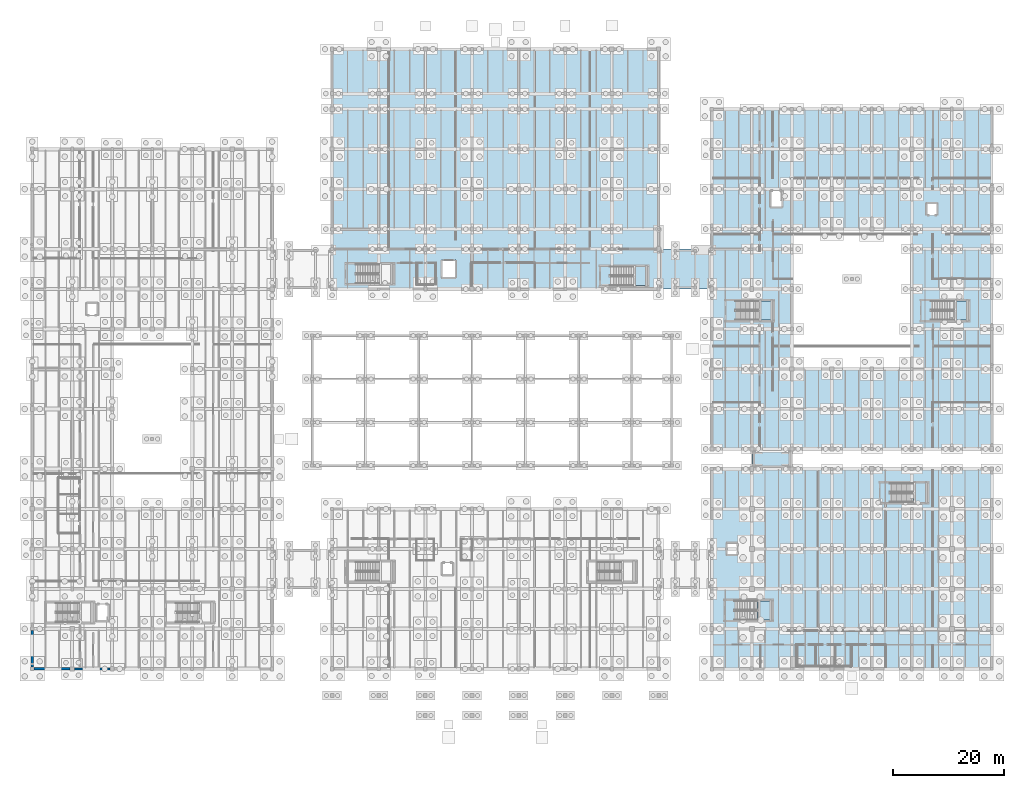
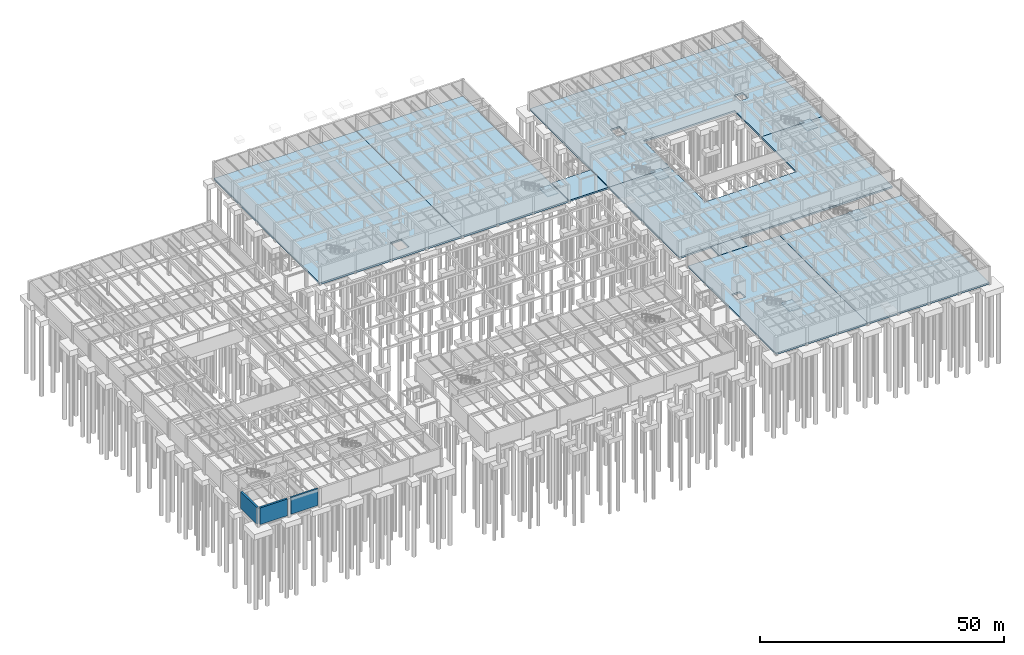
# One storey, part 39 of 63: 13 slabs, 3 walls, 5 elements without a shape of their own.
"""IFC4 building model written with IfcOpenShell, lengths in metres."""

from ifc_helpers import new_model, si_unit, direction, frame, frame_2d, origin, place, context, subcontext, project, spatial, polyline, rectangle, outline, extrude, material, layer, layer_set, type_object, element, aggregate, save


model = new_model("IFC4")

# Units and contexts
model_context = context("Model", 3, precision=1e-05, world=origin(), true_north=direction((0.0, 1.0)))
body_context = subcontext(model_context, "Body", "Model", "MODEL_VIEW")
ifc_project = project(units=[si_unit("LENGTHUNIT", "METRE"), si_unit("AREAUNIT", "SQUARE_METRE"), si_unit("VOLUMEUNIT", "CUBIC_METRE"), si_unit("PLANEANGLEUNIT", "RADIAN"), si_unit("MASSUNIT", "GRAM", prefix="KILO")], contexts=[model_context])

# Site, building, storey
site_placement = place(None, origin())
site = spatial("IfcSite", under=ifc_project, at=site_placement, CompositionType="ELEMENT")
building_placement = place(site_placement, origin())
building = spatial("IfcBuilding", under=site, at=building_placement, Name="Mazaris Harbour Polytechnic", CompositionType="ELEMENT")
storey_placement = place(building_placement, frame((0.0, 0.0, -4.5)))
storey = spatial("IfcBuildingStorey", under=building, at=storey_placement, Name="B1", CompositionType="ELEMENT", Elevation=-4.5)

# Slabs
ifc_material_1 = material(Name="Concrete C35/45", Category="concrete")
ifc_layer_1 = layer(ifc_material_1, 0.3798828125, Name="Concrete C35/45")
ifc_layer_set_1 = layer_set([ifc_layer_1], Name="Concrete C35/45")
slab_type_1 = type_object("IfcSlabType", Name="Basement Link Slab 380", PredefinedType="BASESLAB", material=ifc_layer_set_1)
slab_1_placement = place(storey_placement, frame((0.0, 0.0, -0.3798828125)))
element("IfcSlab", 1, at=slab_1_placement, inside=storey, type_object=slab_type_1, Name="PB-E2 B1 Bridge Deck", PredefinedType="BASESLAB", context=body_context, shape_type="SweptSolid", body=[
    extrude(outline(polyline([(122.25, 75.60009765625), (122.25, 82.800048828125), (112.949951171875, 82.800048828125), (112.949951171875, 75.60009765625), (122.25, 75.60009765625)])), origin(), (0.0, 0.0, 1.0), 0.3798828125),
])
slab_2_placement = place(storey_placement, frame((0.0, 0.0, -0.3798828125)))
element("IfcSlab", 2, at=slab_2_placement, inside=storey, type_object=slab_type_1, Name="PB-NE B1 Bridge Deck", PredefinedType="BASESLAB", context=body_context, shape_type="SweptSolid", body=[
    extrude(outline(polyline([(136.64990234375, 43.199951171875), (136.64990234375, 46.800048828125), (129.75, 46.800048828125), (129.75, 43.199951171875), (136.64990234375, 43.199951171875)])), origin(), (0.0, 0.0, 1.0), 0.3798828125),
])
ifc_material_2 = material(Name="Concrete C35/45", Category="concrete")
ifc_layer_2 = layer(ifc_material_2, 0.419921875, Name="Concrete C35/45")
ifc_layer_set_2 = layer_set([ifc_layer_2], Name="Concrete C35/45")
slab_type_2 = type_object("IfcSlabType", Name="Basement Mat Slab 420", PredefinedType="BASESLAB", material=ifc_layer_set_2)
slab_3_placement = place(storey_placement, frame((0.0, 0.0, -0.419921875)))
element("IfcSlab", 3, at=slab_3_placement, inside=storey, type_object=slab_type_2, Name="V2 B1 Floor Slab", PredefinedType="BASESLAB", context=body_context, shape_type="SweptSolid", body=[
    extrude(outline(polyline([(122.39990234375, 43.199951171875), (144.0, 43.199951171875), (144.0, 7.199951171875), (122.39990234375, 7.199951171875), (122.39990234375, 43.199951171875)]), holes=[polyline([(125.0, 29.89990234375), (125.0, 27.699951171875), (127.0, 27.699951171875), (127.0, 29.89990234375), (125.0, 29.89990234375)])]), origin(), (0.0, 0.0, 1.0), 0.419921875),
])
slab_4_placement = place(storey_placement, frame((0.0, 0.0, -0.419921875)))
element("IfcSlab", 4, at=slab_4_placement, inside=storey, type_object=slab_type_2, Name="V2 B1 Floor Slab", PredefinedType="BASESLAB", context=body_context, shape_type="SweptSolid", body=[
    extrude(outline(polyline([(172.800048828125, 43.199951171875), (172.800048828125, 7.199951171875), (144.0, 7.199951171875), (144.0, 43.199951171875), (172.800048828125, 43.199951171875)])), origin(), (0.0, 0.0, 1.0), 0.419921875),
])
slab_5_placement = place(storey_placement, frame((0.0, 0.0, -0.419921875)))
element("IfcSlab", 5, at=slab_5_placement, inside=storey, type_object=slab_type_2, Name="V5 B1 Floor Slab", PredefinedType="BASESLAB", context=body_context, shape_type="SweptSolid", body=[
    extrude(outline(polyline([(172.800048828125, 46.800048828125), (122.39990234375, 46.800048828125), (122.39990234375, 75.60009765625), (136.800048828125, 75.60009765625), (136.800048828125, 61.199951171875), (158.39990234375, 61.199951171875), (158.39990234375, 75.60009765625), (172.800048828125, 75.60009765625), (172.800048828125, 46.800048828125)])), origin(), (0.0, 0.0, 1.0), 0.419921875),
])
slab_6_placement = place(storey_placement, frame((0.0, 0.0, -0.419921875)))
element("IfcSlab", 6, at=slab_6_placement, inside=storey, type_object=slab_type_2, Name="V5 B1 Floor Slab", PredefinedType="BASESLAB", context=body_context, shape_type="SweptSolid", body=[
    extrude(outline(polyline([(172.800048828125, 75.60009765625), (158.39990234375, 75.60009765625), (158.39990234375, 86.39990234375), (136.800048828125, 86.39990234375), (136.800048828125, 75.60009765625), (122.39990234375, 75.60009765625), (122.39990234375, 108.0), (172.800048828125, 108.0), (172.800048828125, 75.60009765625)]), holes=[polyline([(132.89990234375, 90.300048828125), (135.10009765625, 90.300048828125), (135.10009765625, 93.300048828125), (132.89990234375, 93.300048828125), (132.89990234375, 90.300048828125)]), polyline([(161.0, 91.10009765625), (161.0, 88.89990234375), (163.0, 88.89990234375), (163.0, 91.10009765625), (161.0, 91.10009765625)])]), origin(), (0.0, 0.0, 1.0), 0.419921875),
])
ifc_material_3 = material(Name="Concrete C35/45", Category="concrete")
ifc_layer_3 = layer(ifc_material_3, 0.4599609375, Name="Concrete C35/45")
ifc_layer_set_3 = layer_set([ifc_layer_3], Name="Concrete C35/45")
slab_type_3 = type_object("IfcSlabType", Name="Basement Workshop Slab 460", PredefinedType="BASESLAB", material=ifc_layer_set_3)
slab_7_placement = place(storey_placement, frame((0.0, 0.0, -0.4599609375)))
element("IfcSlab", 7, at=slab_7_placement, inside=storey, type_object=slab_type_3, Name="V1 B1 Floor Slab", PredefinedType="BASESLAB", context=body_context, shape_type="SweptSolid", body=[
    extrude(outline(polyline([(54.0, 118.800048828125), (87.60009765625, 118.800048828125), (87.60009765625, 75.60009765625), (54.0, 75.60009765625), (54.0, 118.800048828125)]), holes=[polyline([(73.699951171875, 80.800048828125), (73.699951171875, 77.60009765625), (76.300048828125, 77.60009765625), (76.300048828125, 80.800048828125), (73.699951171875, 80.800048828125)])]), origin(), (0.0, 0.0, 1.0), 0.4599609375),
])
slab_8_placement = place(storey_placement, frame((0.0, 0.0, -0.4599609375)))
element("IfcSlab", 8, at=slab_8_placement, inside=storey, type_object=slab_type_3, Name="V1 B1 Floor Slab", PredefinedType="BASESLAB", context=body_context, shape_type="SweptSolid", body=[
    extrude(outline(polyline([(112.800048828125, 118.800048828125), (112.800048828125, 75.60009765625), (87.60009765625, 75.60009765625), (87.60009765625, 118.800048828125), (112.800048828125, 118.800048828125)])), origin(), (0.0, 0.0, 1.0), 0.4599609375),
])

# Stair, slab
ifc_material_4 = material(Name="Concrete C40/50", Category="concrete")
stair_type = type_object("IfcStairType", Name="Core Exit Stair H4500", PredefinedType="HALF_TURN_STAIR", material=ifc_material_4)
stair_1_placement = place(storey_placement, origin())
stair_1 = element("IfcStair", 9, at=stair_1_placement, inside=storey, type_object=stair_type, Name="B1 ST02", PredefinedType="HALF_TURN_STAIR")
ifc_material_5 = material(Name="Concrete C40/50", Category="concrete")
ifc_layer_4 = layer(ifc_material_5, 0.199951171875, Name="Concrete C40/50")
ifc_layer_set_4 = layer_set([ifc_layer_4], Name="Concrete C40/50")
slab_type_4 = type_object("IfcSlabType", Name="RC Stair Landing 200", PredefinedType="LANDING", material=ifc_layer_set_4)
slab_9_placement = place(storey_placement, frame((0.0, 0.0, 2.050048828125)))
slab_9 = element("IfcSlab", 10, at=slab_9_placement, type_object=slab_type_4, Name="ST02 landing 1", PredefinedType="LANDING", context=body_context, shape_type="SweptSolid", body=[
    extrude(outline(polyline([(108.25, 76.199951171875), (110.800048828125, 76.199951171875), (110.800048828125, 79.64990234375), (108.25, 79.64990234375), (108.25, 76.199951171875)])), origin(), (0.0, 0.0, 1.0), 0.199951171875),
])
aggregate(stair_1, [slab_9])

stair_2_placement = place(storey_placement, origin())
stair_2 = element("IfcStair", 11, at=stair_2_placement, inside=storey, type_object=stair_type, Name="B1 ST03", PredefinedType="HALF_TURN_STAIR")
slab_10_placement = place(storey_placement, frame((0.0, 0.0, 2.050048828125)))
slab_10 = element("IfcSlab", 12, at=slab_10_placement, type_object=slab_type_4, Name="ST03 landing 1", PredefinedType="LANDING", context=body_context, shape_type="SweptSolid", body=[
    extrude(outline(polyline([(130.64990234375, 16.0), (133.199951171875, 16.0), (133.199951171875, 19.449951171875), (130.64990234375, 19.449951171875), (130.64990234375, 16.0)])), origin(), (0.0, 0.0, 1.0), 0.199951171875),
])
aggregate(stair_2, [slab_10])

stair_3_placement = place(storey_placement, origin())
stair_3 = element("IfcStair", 13, at=stair_3_placement, inside=storey, type_object=stair_type, Name="B1 ST04", PredefinedType="HALF_TURN_STAIR")
slab_11_placement = place(storey_placement, frame((0.0, 0.0, 2.050048828125)))
slab_11 = element("IfcSlab", 14, at=slab_11_placement, type_object=slab_type_4, Name="ST04 landing 1", PredefinedType="LANDING", context=body_context, shape_type="SweptSolid", body=[
    extrude(outline(polyline([(158.64990234375, 37.199951171875), (161.199951171875, 37.199951171875), (161.199951171875, 40.64990234375), (158.64990234375, 40.64990234375), (158.64990234375, 37.199951171875)])), origin(), (0.0, 0.0, 1.0), 0.199951171875),
])
aggregate(stair_3, [slab_11])

stair_4_placement = place(storey_placement, origin())
stair_4 = element("IfcStair", 15, at=stair_4_placement, inside=storey, type_object=stair_type, Name="B1 ST09", PredefinedType="HALF_TURN_STAIR")
slab_12_placement = place(storey_placement, frame((0.0, 0.0, 2.050048828125)))
slab_12 = element("IfcSlab", 16, at=slab_12_placement, type_object=slab_type_4, Name="ST09 landing 1", PredefinedType="LANDING", context=body_context, shape_type="SweptSolid", body=[
    extrude(outline(polyline([(130.85009765625, 70.0), (133.39990234375, 70.0), (133.39990234375, 73.449951171875), (130.85009765625, 73.449951171875), (130.85009765625, 70.0)])), origin(), (0.0, 0.0, 1.0), 0.199951171875),
])
aggregate(stair_4, [slab_12])

stair_5_placement = place(storey_placement, origin())
stair_5 = element("IfcStair", 17, at=stair_5_placement, inside=storey, type_object=stair_type, Name="B1 ST10", PredefinedType="HALF_TURN_STAIR")
slab_13_placement = place(storey_placement, frame((0.0, 0.0, 2.050048828125)))
slab_13 = element("IfcSlab", 18, at=slab_13_placement, type_object=slab_type_4, Name="ST10 landing 1", PredefinedType="LANDING", context=body_context, shape_type="SweptSolid", body=[
    extrude(outline(polyline([(166.050048828125, 70.0), (168.60009765625, 70.0), (168.60009765625, 73.449951171875), (166.050048828125, 73.449951171875), (166.050048828125, 70.0)])), origin(), (0.0, 0.0, 1.0), 0.199951171875),
])
aggregate(stair_5, [slab_13])

# Walls
ifc_material_6 = material(Name="Concrete C35/45", Category="concrete")
ifc_layer_5 = layer(ifc_material_6, 0.39990234375, Name="Concrete C35/45")
ifc_layer_set_5 = layer_set([ifc_layer_5], Name="Concrete C35/45")
wall_type_1 = type_object("IfcWallType", Name="RC Basement Retaining Wall 400", PredefinedType="USERDEFINED", material=ifc_layer_set_5)
wall_1_placement = place(storey_placement, frame((7.574951171875, 7.199951171875, 0.0), z_axis=(0.0, 0.0, 1.0), x_axis=(1.0, 0.0, 0.0)))
element("IfcWall", 19, at=wall_1_placement, inside=storey, type_object=wall_type_1, Name="V4 B1 Retaining Wall 70", ObjectType="RETAINING WALL", PredefinedType="USERDEFINED", context=body_context, shape_type="SweptSolid", body=[
    extrude(rectangle(XDim=6.400146484375, YDim=0.39990234375, at=frame_2d((3.2001953125, 0.0))), origin(), (0.0, 0.0, 1.0), 4.179931640625),
])
ifc_material_7 = material(Name="Concrete C35/45", Category="concrete")
ifc_layer_6 = layer(ifc_material_7, 0.449951171875, Name="Concrete C35/45")
ifc_layer_set_6 = layer_set([ifc_layer_6], Name="Concrete C35/45")
wall_type_2 = type_object("IfcWallType", Name="RC Basement Retaining Wall 450", PredefinedType="USERDEFINED", material=ifc_layer_set_6)
wall_2_placement = place(storey_placement, frame((0.300048828125, 7.199951171875, 0.0), z_axis=(0.0, 0.0, 1.0), x_axis=(1.0, 0.0, 0.0)))
element("IfcWall", 20, at=wall_2_placement, inside=storey, type_object=wall_type_2, Name="V4 B1 Retaining Wall 69", ObjectType="RETAINING WALL", PredefinedType="USERDEFINED", context=body_context, shape_type="SweptSolid", body=[
    extrude(rectangle(XDim=6.52490234375, YDim=0.449951171875, at=frame_2d((3.262451171875, 0.0))), origin(), (0.0, 0.0, 1.0), 4.179931640625),
])
wall_3_placement = place(storey_placement, frame((0.0, 7.5, 0.0), z_axis=(0.0, 0.0, 1.0), x_axis=(0.0, 1.0, 0.0)))
element("IfcWall", 21, at=wall_3_placement, inside=storey, type_object=wall_type_2, Name="V4 B1 Retaining Wall 81", ObjectType="RETAINING WALL", PredefinedType="USERDEFINED", context=body_context, shape_type="SweptSolid", body=[
    extrude(rectangle(XDim=6.574951171875, YDim=0.449951171875, at=frame_2d((3.28759765625, 0.0))), origin(), (0.0, 0.0, 1.0), 4.179931640625),
])

save(model, "model.ifc")
